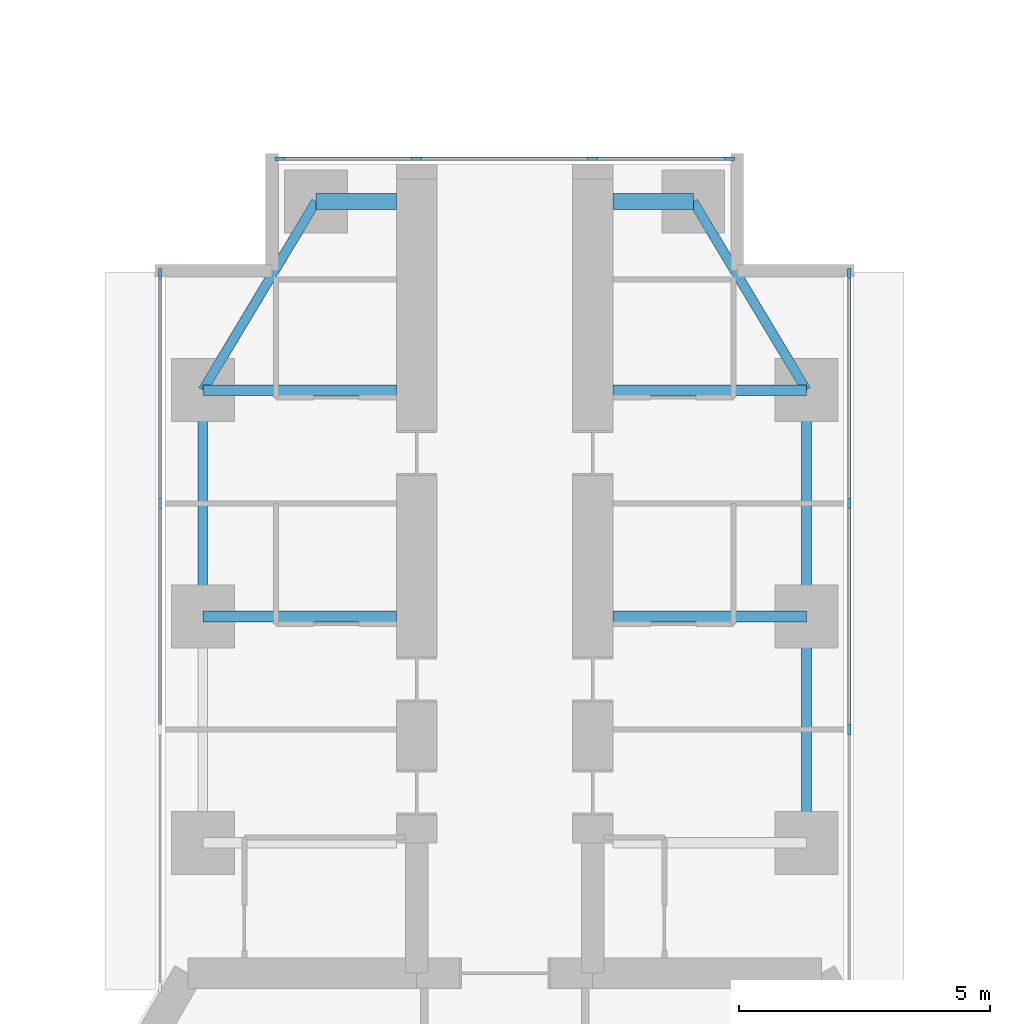
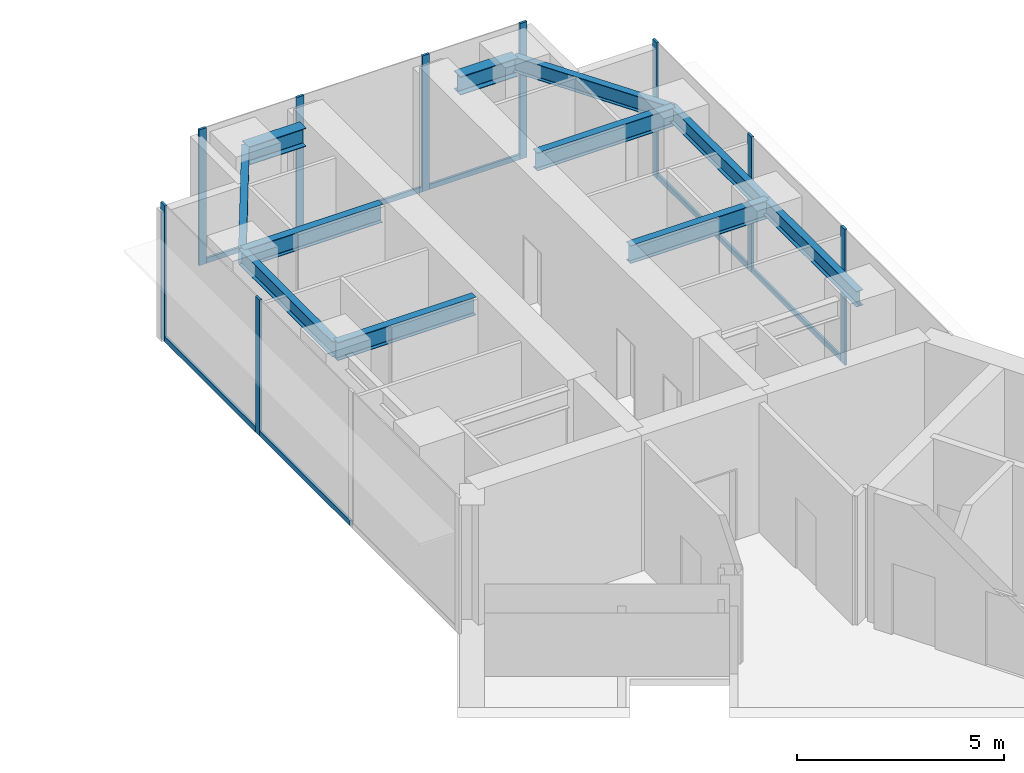
# One storey, part 12 of 23: 16 members, 11 beams, 3 elements without a shape of their own.
"""IFC4 building model written with IfcOpenShell, lengths in metres."""

from ifc_helpers import new_model, si_unit, direction, frame, origin, origin_2d, place, context, subcontext, project, spatial, rectangle, i_section, extrude, material, material_profile, profile_set, type_object, element, aggregate, save


model = new_model("IFC4")

# Units and contexts
model_context = context("Model", 3, precision=1e-05, world=origin(), true_north=direction((0.0, 1.0)))
body_context = subcontext(model_context, "Body", "Model", "MODEL_VIEW")
ifc_project = project(units=[si_unit("LENGTHUNIT", "METRE"), si_unit("AREAUNIT", "SQUARE_METRE"), si_unit("VOLUMEUNIT", "CUBIC_METRE"), si_unit("PLANEANGLEUNIT", "RADIAN"), si_unit("MASSUNIT", "GRAM", prefix="KILO")], contexts=[model_context])

# Site, building, storey
site_placement = place(None, origin())
site = spatial("IfcSite", under=ifc_project, at=site_placement, CompositionType="ELEMENT")
building_placement = place(site_placement, origin())
building = spatial("IfcBuilding", under=site, at=building_placement, Name="Upepo Twin Towers", CompositionType="ELEMENT")
storey_placement = place(building_placement, frame((0.0, 0.0, 153.5)))
storey = spatial("IfcBuildingStorey", under=building, at=storey_placement, Name="L37", CompositionType="ELEMENT", Elevation=153.5)

# Beams
ifc_material_1 = material(Name="Steel S355", Category="steel")
ifc_material_profile_1 = material_profile(ifc_material_1, i_section(OverallWidth=0.1904296875, OverallDepth=0.45703125, WebThickness=0.009033203125, FlangeThickness=0.014404296875, FilletRadius=0.01025390625, at=origin_2d()), Name="UB 457x191x74")
ifc_profile_set_1 = profile_set([ifc_material_profile_1], Name="Steel S355")
beam_type_1 = type_object("IfcBeamType", Name="Beam UB 457x191x74", PredefinedType="BEAM", material=ifc_profile_set_1)
beam_1_placement = place(storey_placement, frame((52.5, 0.0, 3.571533203125), z_axis=(0.0, 1.0, 0.0), x_axis=(-1.0, 0.0, 0.0)))
element("IfcBeam", 1, at=beam_1_placement, inside=storey, type_object=beam_type_1, Name="T2 edge beam AL 18.0-22.5", PredefinedType="BEAM", context=body_context, shape_type="SweptSolid", body=[
    extrude(i_section(OverallWidth=0.1904296875, OverallDepth=0.45703125, WebThickness=0.009033203125, FlangeThickness=0.014404296875, FilletRadius=0.01025390625, at=origin_2d()), origin(), (0.0, 0.0, 1.0), 4.5),
])
beam_2_placement = place(storey_placement, frame((52.5, 4.5, 3.571533203125), z_axis=(0.514495755428, 0.857492925713, 0.0), x_axis=(-0.857492925713, 0.514495755428, 0.0)))
element("IfcBeam", 2, at=beam_2_placement, inside=storey, type_object=beam_type_1, Name="T2 nose edge beam AL", PredefinedType="BEAM", context=body_context, shape_type="SweptSolid", body=[
    extrude(i_section(OverallWidth=0.1904296875, OverallDepth=0.45703125, WebThickness=0.009033203125, FlangeThickness=0.014404296875, FilletRadius=0.01025390625, at=origin_2d()), origin(), (0.0, 0.0, 1.0), 4.373291015625),
])
for number, where, z_axis, x_axis, name in (
    (3, (64.5, -4.5, 3.571533203125), (0.0, 1.0, 0.0), (-1.0, 0.0, 0.0), "T2 edge beam AR 13.5-18.0"),
    (4, (64.5, 0.0, 3.571533203125), (0.0, 1.0, 0.0), (-1.0, 0.0, 0.0), "T2 edge beam AR 18.0-22.5"),
):
    element("IfcBeam", number, at=place(storey_placement, frame(where, z_axis=z_axis, x_axis=x_axis)), inside=storey, type_object=beam_type_1, Name=name, PredefinedType="BEAM", context=body_context, shape_type="SweptSolid", body=[
        extrude(i_section(OverallWidth=0.1904296875, OverallDepth=0.45703125, WebThickness=0.009033203125, FlangeThickness=0.014404296875, FilletRadius=0.01025390625, at=origin_2d()), origin(), (0.0, 0.0, 1.0), 4.5),
    ])
beam_3_placement = place(storey_placement, frame((64.5, 4.5, 3.571533203125), z_axis=(-0.514495755428, 0.857492925713, 0.0), x_axis=(-0.857492925713, -0.514495755428, 0.0)))
element("IfcBeam", 5, at=beam_3_placement, inside=storey, type_object=beam_type_1, Name="T2 nose edge beam AR", PredefinedType="BEAM", context=body_context, shape_type="SweptSolid", body=[
    extrude(i_section(OverallWidth=0.1904296875, OverallDepth=0.45703125, WebThickness=0.009033203125, FlangeThickness=0.014404296875, FilletRadius=0.01025390625, at=origin_2d()), origin(), (0.0, 0.0, 1.0), 4.373291015625),
])
ifc_material_2 = material(Name="Steel S355", Category="steel")
ifc_material_profile_2 = material_profile(ifc_material_2, i_section(OverallWidth=0.209228515625, OverallDepth=0.533203125, WebThickness=0.010009765625, FlangeThickness=0.015625, FilletRadius=0.0126953125, at=origin_2d()), Name="UB 533x210x92")
ifc_profile_set_2 = profile_set([ifc_material_profile_2], Name="Steel S355")
beam_type_2 = type_object("IfcBeamType", Name="Beam UB 533x210x92", PredefinedType="BEAM", material=ifc_profile_set_2)
for number, where, z_axis, x_axis, name in (
    (6, (52.5, 0.0, 3.533447265625), (1.0, 0.0, 0.0), (0.0, 1.0, 0.0), "T2 girder AL at 18.0"),
    (7, (52.5, 4.5, 3.533447265625), (1.0, 0.0, 0.0), (0.0, 1.0, 0.0), "T2 girder AL at 22.5"),
    (8, (64.5, 0.0, 3.533447265625), (-1.0, 0.0, 0.0), (0.0, -1.0, 0.0), "T2 girder AR at 18.0"),
    (9, (64.5, 4.5, 3.533447265625), (-1.0, 0.0, 0.0), (0.0, -1.0, 0.0), "T2 girder AR at 22.5"),
):
    element("IfcBeam", number, at=place(storey_placement, frame(where, z_axis=z_axis, x_axis=x_axis)), inside=storey, type_object=beam_type_2, Name=name, PredefinedType="BEAM", context=body_context, shape_type="SweptSolid", body=[
        extrude(i_section(OverallWidth=0.209228515625, OverallDepth=0.533203125, WebThickness=0.010009765625, FlangeThickness=0.015625, FilletRadius=0.0126953125, at=origin_2d()), origin(), (0.0, 0.0, 1.0), 3.85009765625),
    ])
ifc_material_3 = material(Name="Steel S355", Category="steel")
ifc_material_profile_3 = material_profile(ifc_material_3, i_section(OverallWidth=0.31201171875, OverallDepth=0.54345703125, WebThickness=0.0126953125, FlangeThickness=0.020263671875, FilletRadius=0.0126953125, at=origin_2d()), Name="UB 533x312x150")
ifc_profile_set_3 = profile_set([ifc_material_profile_3], Name="Steel S355")
beam_type_3 = type_object("IfcBeamType", Name="Beam UB 533x312x150", PredefinedType="BEAM", material=ifc_profile_set_3)
for number, where, z_axis, x_axis, name in (
    (10, (54.75, 8.25, 3.5283203125), (1.0, 0.0, 0.0), (0.0, 1.0, 0.0), "T2 nose beam AL"),
    (11, (62.25, 8.25, 3.5283203125), (-1.0, 0.0, 0.0), (0.0, -1.0, 0.0), "T2 nose beam AR"),
):
    element("IfcBeam", number, at=place(storey_placement, frame(where, z_axis=z_axis, x_axis=x_axis)), inside=storey, type_object=beam_type_3, Name=name, PredefinedType="BEAM", context=body_context, shape_type="SweptSolid", body=[
        extrude(i_section(OverallWidth=0.31201171875, OverallDepth=0.54345703125, WebThickness=0.0126953125, FlangeThickness=0.020263671875, FilletRadius=0.0126953125, at=origin_2d()), origin(), (0.0, 0.0, 1.0), 1.60009765625),
    ])

# Curtain wall, members
ifc_material_4 = material(Name="Aluminium and fritted glass", Category="aluminium")
curtain_wall_type = type_object("IfcCurtainWallType", Name="Tower curtain wall TW2, fritted glass", PredefinedType="NOTDEFINED", material=ifc_material_4)
curtain_wall_1_placement = place(storey_placement, origin())
curtain_wall_1 = element("IfcCurtainWall", 12, at=curtain_wall_1_placement, inside=storey, type_object=curtain_wall_type, Name="T2 L37 wing A flank L curtain wall", PredefinedType="NOTDEFINED")
ifc_material_5 = material(Name="Aluminium mullion", Category="aluminium")
ifc_material_profile_4 = material_profile(ifc_material_5, rectangle(XDim=0.06494140625, YDim=0.199951171875, at=origin_2d()), Name="MULLION 65x200")
ifc_profile_set_4 = profile_set([ifc_material_profile_4], Name="Aluminium mullion")
member_type_1 = type_object("IfcMemberType", Name="Mullion 65x200 TW2", PredefinedType="MULLION", material=ifc_profile_set_4)
member_1_placement = place(storey_placement, frame((51.64990234375, 2.25, 0.0), z_axis=(0.0, 0.0, 1.0), x_axis=(-1.0, 0.0, 0.0)))
member_1 = element("IfcMember", 13, at=member_1_placement, type_object=member_type_1, Name="T2 L37 wing A flank L curtain wall mullion 3", PredefinedType="MULLION", context=body_context, shape_type="SweptSolid", body=[
    extrude(rectangle(XDim=0.06494140625, YDim=0.199951171875, at=origin_2d()), origin(), (0.0, 0.0, 1.0), 4.0),
])
member_2_placement = place(storey_placement, frame((51.64990234375, 6.8173828125, 0.0), z_axis=(0.0, 0.0, 1.0), x_axis=(-1.0, 0.0, 0.0)))
member_2 = element("IfcMember", 14, at=member_2_placement, type_object=member_type_1, Name="T2 L37 wing A flank L curtain wall mullion 4", PredefinedType="MULLION", context=body_context, shape_type="SweptSolid", body=[
    extrude(rectangle(XDim=0.06494140625, YDim=0.199951171875, at=origin_2d()), origin(), (0.0, 0.0, 1.0), 4.0),
])

curtain_wall_2_placement = place(storey_placement, origin())
curtain_wall_2 = element("IfcCurtainWall", 15, at=curtain_wall_2_placement, inside=storey, type_object=curtain_wall_type, Name="T2 L37 wing A flank R curtain wall", PredefinedType="NOTDEFINED")
member_3_placement = place(storey_placement, frame((65.35009765625, 6.8173828125, 0.0), z_axis=(0.0, 0.0, 1.0), x_axis=(1.0, 0.0, 0.0)))
member_3 = element("IfcMember", 16, at=member_3_placement, type_object=member_type_1, Name="T2 L37 wing A flank R curtain wall mullion 1", PredefinedType="MULLION", context=body_context, shape_type="SweptSolid", body=[
    extrude(rectangle(XDim=0.06494140625, YDim=0.199951171875, at=origin_2d()), origin(), (0.0, 0.0, 1.0), 4.0),
])
member_4_placement = place(storey_placement, frame((65.35009765625, 2.25, 0.0), z_axis=(0.0, 0.0, 1.0), x_axis=(1.0, 0.0, 0.0)))
member_4 = element("IfcMember", 17, at=member_4_placement, type_object=member_type_1, Name="T2 L37 wing A flank R curtain wall mullion 2", PredefinedType="MULLION", context=body_context, shape_type="SweptSolid", body=[
    extrude(rectangle(XDim=0.06494140625, YDim=0.199951171875, at=origin_2d()), origin(), (0.0, 0.0, 1.0), 4.0),
])
member_5_placement = place(storey_placement, frame((65.35009765625, -2.25, 0.0), z_axis=(0.0, 0.0, 1.0), x_axis=(1.0, 0.0, 0.0)))
member_5 = element("IfcMember", 18, at=member_5_placement, type_object=member_type_1, Name="T2 L37 wing A flank R curtain wall mullion 3", PredefinedType="MULLION", context=body_context, shape_type="SweptSolid", body=[
    extrude(rectangle(XDim=0.06494140625, YDim=0.199951171875, at=origin_2d()), origin(), (0.0, 0.0, 1.0), 4.0),
])

curtain_wall_3_placement = place(storey_placement, origin())
curtain_wall_3 = element("IfcCurtainWall", 19, at=curtain_wall_3_placement, inside=storey, type_object=curtain_wall_type, Name="T2 L37 wing A nose curtain wall", PredefinedType="NOTDEFINED")
member_6_placement = place(storey_placement, frame((62.967529296875, 9.10009765625, 0.0), z_axis=(0.0, 0.0, 1.0), x_axis=(0.0, -1.0, 0.0)))
member_6 = element("IfcMember", 20, at=member_6_placement, type_object=member_type_1, Name="T2 L37 wing A nose curtain wall mullion 1", PredefinedType="MULLION", context=body_context, shape_type="SweptSolid", body=[
    extrude(rectangle(XDim=0.06494140625, YDim=0.199951171875, at=origin_2d()), origin(), (0.0, 0.0, 1.0), 4.0),
])
member_7_placement = place(storey_placement, frame((60.25, 9.10009765625, 0.0), z_axis=(0.0, 0.0, 1.0), x_axis=(0.0, -1.0, 0.0)))
member_7 = element("IfcMember", 21, at=member_7_placement, type_object=member_type_1, Name="T2 L37 wing A nose curtain wall mullion 2", PredefinedType="MULLION", context=body_context, shape_type="SweptSolid", body=[
    extrude(rectangle(XDim=0.06494140625, YDim=0.199951171875, at=origin_2d()), origin(), (0.0, 0.0, 1.0), 4.0),
])
member_8_placement = place(storey_placement, frame((56.75, 9.10009765625, 0.0), z_axis=(0.0, 0.0, 1.0), x_axis=(0.0, -1.0, 0.0)))
member_8 = element("IfcMember", 22, at=member_8_placement, type_object=member_type_1, Name="T2 L37 wing A nose curtain wall mullion 3", PredefinedType="MULLION", context=body_context, shape_type="SweptSolid", body=[
    extrude(rectangle(XDim=0.06494140625, YDim=0.199951171875, at=origin_2d()), origin(), (0.0, 0.0, 1.0), 4.0),
])
member_9_placement = place(storey_placement, frame((54.032470703125, 9.10009765625, 0.0), z_axis=(0.0, 0.0, 1.0), x_axis=(0.0, -1.0, 0.0)))
member_9 = element("IfcMember", 23, at=member_9_placement, type_object=member_type_1, Name="T2 L37 wing A nose curtain wall mullion 4", PredefinedType="MULLION", context=body_context, shape_type="SweptSolid", body=[
    extrude(rectangle(XDim=0.06494140625, YDim=0.199951171875, at=origin_2d()), origin(), (0.0, 0.0, 1.0), 4.0),
])

# Member
ifc_material_6 = material(Name="Aluminium transom", Category="aluminium")
ifc_material_profile_5 = material_profile(ifc_material_6, rectangle(XDim=0.06494140625, YDim=0.14990234375, at=origin_2d()), Name="TRANSOM 65x150")
ifc_profile_set_5 = profile_set([ifc_material_profile_5], Name="Aluminium transom")
member_type_2 = type_object("IfcMemberType", Name="Transom 65x150 TW2", PredefinedType="USERDEFINED", material=ifc_profile_set_5)
member_10_placement = place(storey_placement, frame((51.64990234375, -2.217529296875, 0.074951171875), z_axis=(0.0, 1.0, 0.0), x_axis=(-1.0, 0.0, 0.0)))
member_10 = element("IfcMember", 24, at=member_10_placement, type_object=member_type_2, Name="T2 L37 wing A flank L curtain wall transom 2", ObjectType="TRANSOM", PredefinedType="USERDEFINED", context=body_context, shape_type="SweptSolid", body=[
    extrude(rectangle(XDim=0.06494140625, YDim=0.14990234375, at=origin_2d()), origin(), (0.0, 0.0, 1.0), 4.43505859375),
])

member_11_placement = place(storey_placement, frame((51.64990234375, 2.282470703125, 0.074951171875), z_axis=(0.0, 1.0, 0.0), x_axis=(-1.0, 0.0, 0.0)))
member_11 = element("IfcMember", 25, at=member_11_placement, type_object=member_type_2, Name="T2 L37 wing A flank L curtain wall transom 3", ObjectType="TRANSOM", PredefinedType="USERDEFINED", context=body_context, shape_type="SweptSolid", body=[
    extrude(rectangle(XDim=0.06494140625, YDim=0.14990234375, at=origin_2d()), origin(), (0.0, 0.0, 1.0), 4.50244140625),
])

aggregate(curtain_wall_1, [member_1, member_2, member_10, member_11])

member_12_placement = place(storey_placement, frame((65.35009765625, 6.784912109375, 0.074951171875), z_axis=(0.0, -1.0, 0.0), x_axis=(1.0, 0.0, 0.0)))
member_12 = element("IfcMember", 26, at=member_12_placement, type_object=member_type_2, Name="T2 L37 wing A flank R curtain wall transom 1", ObjectType="TRANSOM", PredefinedType="USERDEFINED", context=body_context, shape_type="SweptSolid", body=[
    extrude(rectangle(XDim=0.06494140625, YDim=0.14990234375, at=origin_2d()), origin(), (0.0, 0.0, 1.0), 4.50244140625),
])

member_13_placement = place(storey_placement, frame((65.35009765625, 2.217529296875, 0.074951171875), z_axis=(0.0, -1.0, 0.0), x_axis=(1.0, 0.0, 0.0)))
member_13 = element("IfcMember", 27, at=member_13_placement, type_object=member_type_2, Name="T2 L37 wing A flank R curtain wall transom 2", ObjectType="TRANSOM", PredefinedType="USERDEFINED", context=body_context, shape_type="SweptSolid", body=[
    extrude(rectangle(XDim=0.06494140625, YDim=0.14990234375, at=origin_2d()), origin(), (0.0, 0.0, 1.0), 4.43505859375),
])

aggregate(curtain_wall_2, [member_3, member_4, member_5, member_12, member_13])

member_14_placement = place(storey_placement, frame((62.93505859375, 9.10009765625, 0.074951171875), z_axis=(-1.0, 0.0, 0.0), x_axis=(0.0, -1.0, 0.0)))
member_14 = element("IfcMember", 28, at=member_14_placement, type_object=member_type_2, Name="T2 L37 wing A nose curtain wall transom 1", ObjectType="TRANSOM", PredefinedType="USERDEFINED", context=body_context, shape_type="SweptSolid", body=[
    extrude(rectangle(XDim=0.06494140625, YDim=0.14990234375, at=origin_2d()), origin(), (0.0, 0.0, 1.0), 2.652587890625),
])

member_15_placement = place(storey_placement, frame((60.217529296875, 9.10009765625, 0.074951171875), z_axis=(-1.0, 0.0, 0.0), x_axis=(0.0, -1.0, 0.0)))
member_15 = element("IfcMember", 29, at=member_15_placement, type_object=member_type_2, Name="T2 L37 wing A nose curtain wall transom 2", ObjectType="TRANSOM", PredefinedType="USERDEFINED", context=body_context, shape_type="SweptSolid", body=[
    extrude(rectangle(XDim=0.06494140625, YDim=0.14990234375, at=origin_2d()), origin(), (0.0, 0.0, 1.0), 3.43505859375),
])

member_16_placement = place(storey_placement, frame((56.717529296875, 9.10009765625, 0.074951171875), z_axis=(-1.0, 0.0, 0.0), x_axis=(0.0, -1.0, 0.0)))
member_16 = element("IfcMember", 30, at=member_16_placement, type_object=member_type_2, Name="T2 L37 wing A nose curtain wall transom 3", ObjectType="TRANSOM", PredefinedType="USERDEFINED", context=body_context, shape_type="SweptSolid", body=[
    extrude(rectangle(XDim=0.06494140625, YDim=0.14990234375, at=origin_2d()), origin(), (0.0, 0.0, 1.0), 2.652587890625),
])

aggregate(curtain_wall_3, [member_6, member_7, member_8, member_9, member_14, member_15, member_16])

save(model, "model.ifc")
